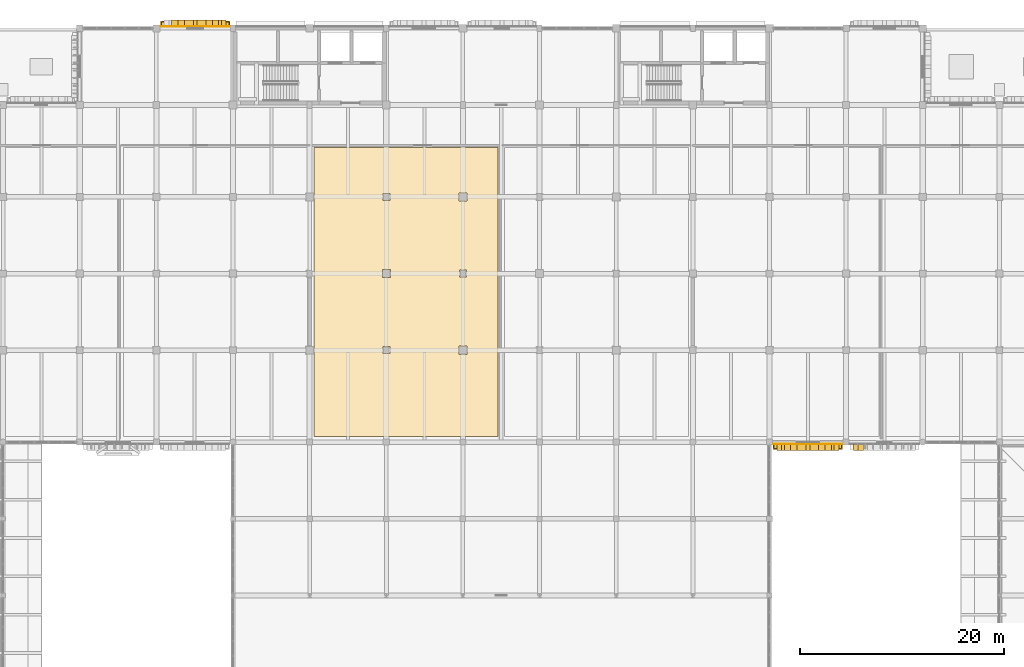
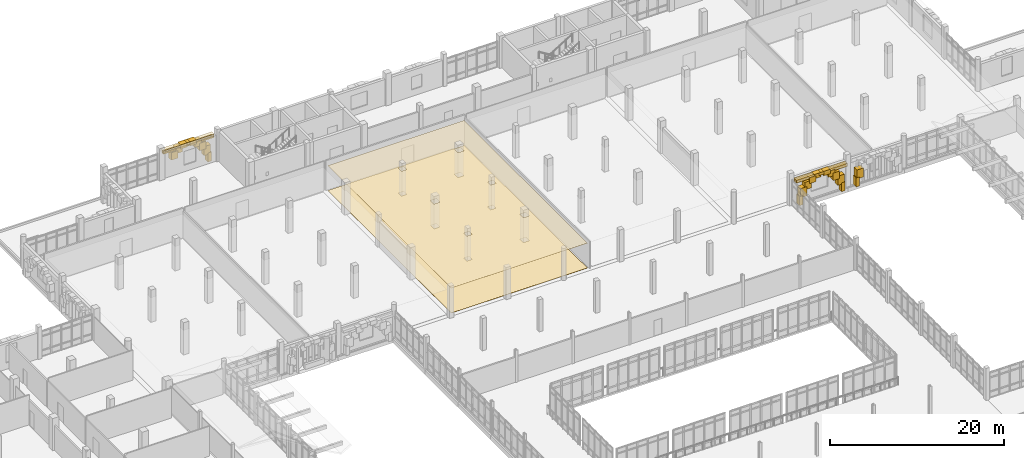
# One storey, part 118 of 128: 28 coverings, 2 shading devices.
"""IFC4 building model written with IfcOpenShell, lengths in metres."""

from ifc_helpers import new_model, si_unit, direction, frame, origin, origin_2d, place, context, subcontext, project, spatial, polyline, rectangle, outline, extrude, material, layer, layer_set, type_object, element, save


model = new_model("IFC4")

# Units and contexts
model_context = context("Model", 3, precision=1e-05, world=origin(), true_north=direction((0.0, 1.0)))
body_context = subcontext(model_context, "Body", "Model", "MODEL_VIEW")
ifc_project = project(units=[si_unit("LENGTHUNIT", "METRE"), si_unit("AREAUNIT", "SQUARE_METRE"), si_unit("VOLUMEUNIT", "CUBIC_METRE"), si_unit("PLANEANGLEUNIT", "RADIAN"), si_unit("MASSUNIT", "GRAM", prefix="KILO")], contexts=[model_context])

# Site, building, storey
site_placement = place(None, origin())
site = spatial("IfcSite", under=ifc_project, at=site_placement, CompositionType="ELEMENT")
building_placement = place(site_placement, origin())
building = spatial("IfcBuilding", under=site, at=building_placement, Name="Dalvernix Boulevard General Hospital", CompositionType="ELEMENT")
storey_placement = place(building_placement, frame((0.0, 0.0, 4.800048828125)))
storey = spatial("IfcBuildingStorey", under=building, at=storey_placement, Name="L01", CompositionType="ELEMENT", Elevation=4.800048828125)

# Coverings
ifc_material_1 = material(Name="Pressed Catalan clay brick and dressed limestone parabolic archivolt", Category="masonry")
ifc_layer_1 = layer(ifc_material_1, 0.419921875)
ifc_layer_set_1 = layer_set([ifc_layer_1], Name="Pressed Catalan clay brick and dressed limestone parabolic archivolt (COV-ARC-01)")
covering_type_1 = type_object("IfcCoveringType", Name="COV-ARC-01", PredefinedType="CLADDING", material=ifc_layer_set_1)
covering_1_placement = place(storey_placement, frame((59.10009765625, 117.485107421875, 0.0), z_axis=(0.0, 0.0, 1.0), x_axis=(1.0, 0.0, 0.0)))
element("IfcCovering", 1, at=covering_1_placement, inside=storey, type_object=covering_type_1, Name="L01 Catalan parabolic arch impost pier N 7-15-R", PredefinedType="CLADDING", context=body_context, shape_type="SweptSolid", body=[
    extrude(rectangle(XDim=0.4599609375, YDim=0.659912109375, at=origin_2d()), origin(), (0.0, 0.0, 1.0), 1.25),
])
covering_2_placement = place(storey_placement, frame((54.433349609375, 117.485107421875, 1.95263671875), z_axis=(0.0, 0.0, 1.0), x_axis=(1.0, 0.0, 0.0)))
element("IfcCovering", 2, at=covering_2_placement, inside=storey, type_object=covering_type_1, Name="L01 Catalan parabolic archivolt voussoir N 7-15-2", PredefinedType="CLADDING", context=body_context, shape_type="SweptSolid", body=[
    extrude(rectangle(XDim=0.8623046875, YDim=0.659912109375, at=origin_2d()), origin(), (0.0, 0.0, 1.0), 1.049560546875),
])
covering_3_placement = place(storey_placement, frame((55.0556640625, 117.485107421875, 2.62255859375), z_axis=(0.0, 0.0, 1.0), x_axis=(1.0, 0.0, 0.0)))
element("IfcCovering", 3, at=covering_3_placement, inside=storey, type_object=covering_type_1, Name="L01 Catalan parabolic archivolt voussoir N 7-15-3", PredefinedType="CLADDING", context=body_context, shape_type="SweptSolid", body=[
    extrude(rectangle(XDim=0.8623046875, YDim=0.659912109375, at=origin_2d()), origin(), (0.0, 0.0, 1.0), 0.826416015625),
])
covering_4_placement = place(storey_placement, frame((55.677734375, 117.485107421875, 3.06884765625), z_axis=(0.0, 0.0, 1.0), x_axis=(1.0, 0.0, 0.0)))
element("IfcCovering", 4, at=covering_4_placement, inside=storey, type_object=covering_type_1, Name="L01 Catalan parabolic archivolt voussoir N 7-15-4", PredefinedType="CLADDING", context=body_context, shape_type="SweptSolid", body=[
    extrude(rectangle(XDim=0.8623046875, YDim=0.659912109375, at=origin_2d()), origin(), (0.0, 0.0, 1.0), 0.603271484375),
])
covering_5_placement = place(storey_placement, frame((56.300048828125, 117.485107421875, 3.2919921875), z_axis=(0.0, 0.0, 1.0), x_axis=(1.0, 0.0, 0.0)))
element("IfcCovering", 5, at=covering_5_placement, inside=storey, type_object=covering_type_1, Name="L01 Catalan parabolic archivolt voussoir N 7-15-5", PredefinedType="CLADDING", context=body_context, shape_type="SweptSolid", body=[
    extrude(rectangle(XDim=0.8623046875, YDim=0.659912109375, at=origin_2d()), origin(), (0.0, 0.0, 1.0), 0.3798828125),
])
covering_6_placement = place(storey_placement, frame((56.922119140625, 117.485107421875, 3.06884765625), z_axis=(0.0, 0.0, 1.0), x_axis=(1.0, 0.0, 0.0)))
element("IfcCovering", 6, at=covering_6_placement, inside=storey, type_object=covering_type_1, Name="L01 Catalan parabolic archivolt voussoir N 7-15-6", PredefinedType="CLADDING", context=body_context, shape_type="SweptSolid", body=[
    extrude(rectangle(XDim=0.8623046875, YDim=0.659912109375, at=origin_2d()), origin(), (0.0, 0.0, 1.0), 0.603271484375),
])
covering_7_placement = place(storey_placement, frame((57.54443359375, 117.485107421875, 2.62255859375), z_axis=(0.0, 0.0, 1.0), x_axis=(1.0, 0.0, 0.0)))
element("IfcCovering", 7, at=covering_7_placement, inside=storey, type_object=covering_type_1, Name="L01 Catalan parabolic archivolt voussoir N 7-15-7", PredefinedType="CLADDING", context=body_context, shape_type="SweptSolid", body=[
    extrude(rectangle(XDim=0.8623046875, YDim=0.659912109375, at=origin_2d()), origin(), (0.0, 0.0, 1.0), 0.826416015625),
])
covering_8_placement = place(storey_placement, frame((58.166748046875, 117.485107421875, 1.95263671875), z_axis=(0.0, 0.0, 1.0), x_axis=(1.0, 0.0, 0.0)))
element("IfcCovering", 8, at=covering_8_placement, inside=storey, type_object=covering_type_1, Name="L01 Catalan parabolic archivolt voussoir N 7-15-8", PredefinedType="CLADDING", context=body_context, shape_type="SweptSolid", body=[
    extrude(rectangle(XDim=0.8623046875, YDim=0.659912109375, at=origin_2d()), origin(), (0.0, 0.0, 1.0), 1.049560546875),
])
covering_9_placement = place(storey_placement, frame((58.788818359375, 117.485107421875, 1.06005859375), z_axis=(0.0, 0.0, 1.0), x_axis=(1.0, 0.0, 0.0)))
element("IfcCovering", 9, at=covering_9_placement, inside=storey, type_object=covering_type_1, Name="L01 Catalan parabolic archivolt voussoir N 7-15-9", PredefinedType="CLADDING", context=body_context, shape_type="SweptSolid", body=[
    extrude(rectangle(XDim=0.8623046875, YDim=0.659912109375, at=origin_2d()), origin(), (0.0, 0.0, 1.0), 1.272705078125),
])
for number, where, z_axis, x_axis, name in (
    (10, (119.050048828125, 76.014892578125, 0.0), (0.0, 0.0, 1.0), (-1.0, 0.0, 0.0), "L01 Catalan parabolic arch impost pier S 15-10-L"),
    (11, (113.449951171875, 76.014892578125, 0.0), (0.0, 0.0, 1.0), (-1.0, 0.0, 0.0), "L01 Catalan parabolic arch impost pier S 15-10-R"),
):
    element("IfcCovering", number, at=place(storey_placement, frame(where, z_axis=z_axis, x_axis=x_axis)), inside=storey, type_object=covering_type_1, Name=name, PredefinedType="CLADDING", context=body_context, shape_type="SweptSolid", body=[
        extrude(rectangle(XDim=0.4599609375, YDim=0.659912109375, at=origin_2d()), origin(), (0.0, 0.0, 1.0), 1.25),
    ])
covering_10_placement = place(storey_placement, frame((118.739013671875, 76.014892578125, 1.06005859375), z_axis=(0.0, 0.0, 1.0), x_axis=(-1.0, 0.0, 0.0)))
element("IfcCovering", 12, at=covering_10_placement, inside=storey, type_object=covering_type_1, Name="L01 Catalan parabolic archivolt voussoir S 15-10-1", PredefinedType="CLADDING", context=body_context, shape_type="SweptSolid", body=[
    extrude(rectangle(XDim=0.8623046875, YDim=0.659912109375, at=origin_2d()), origin(), (0.0, 0.0, 1.0), 1.272705078125),
])
covering_11_placement = place(storey_placement, frame((118.11669921875, 76.014892578125, 1.95263671875), z_axis=(0.0, 0.0, 1.0), x_axis=(-1.0, 0.0, 0.0)))
element("IfcCovering", 13, at=covering_11_placement, inside=storey, type_object=covering_type_1, Name="L01 Catalan parabolic archivolt voussoir S 15-10-2", PredefinedType="CLADDING", context=body_context, shape_type="SweptSolid", body=[
    extrude(rectangle(XDim=0.8623046875, YDim=0.659912109375, at=origin_2d()), origin(), (0.0, 0.0, 1.0), 1.049560546875),
])
covering_12_placement = place(storey_placement, frame((117.494384765625, 76.014892578125, 2.62255859375), z_axis=(0.0, 0.0, 1.0), x_axis=(-1.0, 0.0, 0.0)))
element("IfcCovering", 14, at=covering_12_placement, inside=storey, type_object=covering_type_1, Name="L01 Catalan parabolic archivolt voussoir S 15-10-3", PredefinedType="CLADDING", context=body_context, shape_type="SweptSolid", body=[
    extrude(rectangle(XDim=0.8623046875, YDim=0.659912109375, at=origin_2d()), origin(), (0.0, 0.0, 1.0), 0.826416015625),
])
covering_13_placement = place(storey_placement, frame((116.872314453125, 76.014892578125, 3.06884765625), z_axis=(0.0, 0.0, 1.0), x_axis=(-1.0, 0.0, 0.0)))
element("IfcCovering", 15, at=covering_13_placement, inside=storey, type_object=covering_type_1, Name="L01 Catalan parabolic archivolt voussoir S 15-10-4", PredefinedType="CLADDING", context=body_context, shape_type="SweptSolid", body=[
    extrude(rectangle(XDim=0.8623046875, YDim=0.659912109375, at=origin_2d()), origin(), (0.0, 0.0, 1.0), 0.603271484375),
])
covering_14_placement = place(storey_placement, frame((116.25, 76.014892578125, 3.2919921875), z_axis=(0.0, 0.0, 1.0), x_axis=(-1.0, 0.0, 0.0)))
element("IfcCovering", 16, at=covering_14_placement, inside=storey, type_object=covering_type_1, Name="L01 Catalan parabolic archivolt voussoir S 15-10-5", PredefinedType="CLADDING", context=body_context, shape_type="SweptSolid", body=[
    extrude(rectangle(XDim=0.8623046875, YDim=0.659912109375, at=origin_2d()), origin(), (0.0, 0.0, 1.0), 0.3798828125),
])
covering_15_placement = place(storey_placement, frame((115.627685546875, 76.014892578125, 3.06884765625), z_axis=(0.0, 0.0, 1.0), x_axis=(-1.0, 0.0, 0.0)))
element("IfcCovering", 17, at=covering_15_placement, inside=storey, type_object=covering_type_1, Name="L01 Catalan parabolic archivolt voussoir S 15-10-6", PredefinedType="CLADDING", context=body_context, shape_type="SweptSolid", body=[
    extrude(rectangle(XDim=0.8623046875, YDim=0.659912109375, at=origin_2d()), origin(), (0.0, 0.0, 1.0), 0.603271484375),
])
covering_16_placement = place(storey_placement, frame((115.005615234375, 76.014892578125, 2.62255859375), z_axis=(0.0, 0.0, 1.0), x_axis=(-1.0, 0.0, 0.0)))
element("IfcCovering", 18, at=covering_16_placement, inside=storey, type_object=covering_type_1, Name="L01 Catalan parabolic archivolt voussoir S 15-10-7", PredefinedType="CLADDING", context=body_context, shape_type="SweptSolid", body=[
    extrude(rectangle(XDim=0.8623046875, YDim=0.659912109375, at=origin_2d()), origin(), (0.0, 0.0, 1.0), 0.826416015625),
])
covering_17_placement = place(storey_placement, frame((114.38330078125, 76.014892578125, 1.95263671875), z_axis=(0.0, 0.0, 1.0), x_axis=(-1.0, 0.0, 0.0)))
element("IfcCovering", 19, at=covering_17_placement, inside=storey, type_object=covering_type_1, Name="L01 Catalan parabolic archivolt voussoir S 15-10-8", PredefinedType="CLADDING", context=body_context, shape_type="SweptSolid", body=[
    extrude(rectangle(XDim=0.8623046875, YDim=0.659912109375, at=origin_2d()), origin(), (0.0, 0.0, 1.0), 1.049560546875),
])
covering_18_placement = place(storey_placement, frame((113.760986328125, 76.014892578125, 1.06005859375), z_axis=(0.0, 0.0, 1.0), x_axis=(-1.0, 0.0, 0.0)))
element("IfcCovering", 20, at=covering_18_placement, inside=storey, type_object=covering_type_1, Name="L01 Catalan parabolic archivolt voussoir S 15-10-9", PredefinedType="CLADDING", context=body_context, shape_type="SweptSolid", body=[
    extrude(rectangle(XDim=0.8623046875, YDim=0.659912109375, at=origin_2d()), origin(), (0.0, 0.0, 1.0), 1.272705078125),
])
covering_19_placement = place(storey_placement, frame((120.949951171875, 76.014892578125, 0.0), z_axis=(0.0, 0.0, 1.0), x_axis=(-1.0, 0.0, 0.0)))
element("IfcCovering", 21, at=covering_19_placement, inside=storey, type_object=covering_type_1, Name="L01 Catalan parabolic arch impost pier S 16-10-R", PredefinedType="CLADDING", context=body_context, shape_type="SweptSolid", body=[
    extrude(rectangle(XDim=0.4599609375, YDim=0.659912109375, at=origin_2d()), origin(), (0.0, 0.0, 1.0), 1.25),
])
covering_20_placement = place(storey_placement, frame((121.260986328125, 76.014892578125, 1.06005859375), z_axis=(0.0, 0.0, 1.0), x_axis=(-1.0, 0.0, 0.0)))
element("IfcCovering", 22, at=covering_20_placement, inside=storey, type_object=covering_type_1, Name="L01 Catalan parabolic archivolt voussoir S 16-10-9", PredefinedType="CLADDING", context=body_context, shape_type="SweptSolid", body=[
    extrude(rectangle(XDim=0.8623046875, YDim=0.659912109375, at=origin_2d()), origin(), (0.0, 0.0, 1.0), 1.272705078125),
])
ifc_material_2 = material(Name="Antimicrobial acoustic mineral-fibre suspended ceiling")
ifc_layer_2 = layer(ifc_material_2, 0.02490234375)
ifc_layer_set_2 = layer_set([ifc_layer_2], Name="Antimicrobial acoustic mineral-fibre suspended ceiling (COV-CEIL-01)")
covering_type_2 = type_object("IfcCoveringType", Name="COV-CEIL-01", PredefinedType="CEILING", material=ifc_layer_set_2)
covering_21_placement = place(storey_placement, frame((0.0, 0.0, 3.474853515625)))
element("IfcCovering", 23, at=covering_21_placement, inside=storey, type_object=covering_type_2, Name="L01 Clinical Pathology and Microbiology Laboratory 02 hygienic suspended ceiling", PredefinedType="CEILING", context=body_context, shape_type="SweptSolid", body=[
    extrude(outline(polyline([(85.949951171875, 77.050048828125), (67.916748046875, 77.050048828125), (67.916748046875, 105.35009765625), (85.949951171875, 105.35009765625), (85.949951171875, 77.050048828125)]), holes=[polyline([(74.655029296875, 85.844970703125), (74.655029296875, 85.155029296875), (75.344970703125, 85.155029296875), (75.344970703125, 85.844970703125), (74.655029296875, 85.844970703125)]), polyline([(75.39501953125, 93.39501953125), (74.60498046875, 93.39501953125), (74.60498046875, 92.60498046875), (75.39501953125, 92.60498046875), (75.39501953125, 93.39501953125)]), polyline([(75.344970703125, 100.155029296875), (75.344970703125, 100.844970703125), (74.655029296875, 100.844970703125), (74.655029296875, 100.155029296875), (75.344970703125, 100.155029296875)]), polyline([(82.10498046875, 85.10498046875), (82.89501953125, 85.10498046875), (82.89501953125, 85.89501953125), (82.10498046875, 85.89501953125), (82.10498046875, 85.10498046875)]), polyline([(82.155029296875, 93.344970703125), (82.155029296875, 92.655029296875), (82.844970703125, 92.655029296875), (82.844970703125, 93.344970703125), (82.155029296875, 93.344970703125)]), polyline([(82.89501953125, 100.89501953125), (82.10498046875, 100.89501953125), (82.10498046875, 100.10498046875), (82.89501953125, 100.10498046875), (82.89501953125, 100.89501953125)])]), origin(), (0.0, 0.0, 1.0), 0.025146484375),
])
ifc_material_3 = material(Name="Polychrome Catalan glazed ceramic spandrel tile panel")
ifc_layer_3 = layer(ifc_material_3, 0.044921875)
ifc_layer_set_3 = layer_set([ifc_layer_3], Name="Polychrome Catalan glazed ceramic spandrel tile panel (COV-CLD-01)")
covering_type_3 = type_object("IfcCoveringType", Name="COV-CLD-01", PredefinedType="CLADDING", material=ifc_layer_set_3)
for number, where, z_axis, x_axis, name in (
    (24, (56.300048828125, 117.195068359375, 3.15478515625), (0.0, 0.0, 1.0), (1.0, 0.0, 0.0), "L01 polychrome ceramic spandrel N 7-15"),
    (25, (116.25, 76.304931640625, 3.15478515625), (0.0, 0.0, 1.0), (-1.0, 0.0, 0.0), "L01 polychrome ceramic spandrel S 15-10"),
):
    element("IfcCovering", number, at=place(storey_placement, frame(where, z_axis=z_axis, x_axis=x_axis)), inside=storey, type_object=covering_type_3, Name=name, PredefinedType="CLADDING", context=body_context, shape_type="SweptSolid", body=[
        extrude(rectangle(XDim=6.780029296875, YDim=0.044921875, at=origin_2d()), origin(), (0.0, 0.0, 1.0), 0.449951171875),
    ])
ifc_material_4 = material(Name="Dressed ochre limestone classical plinth, stringcourse and corbelled cornice", Category="masonry")
ifc_layer_4 = layer(ifc_material_4, 0.449951171875)
ifc_layer_set_4 = layer_set([ifc_layer_4], Name="Dressed ochre limestone classical plinth, stringcourse and corbelled cornice (COV-CRN-01)")
covering_type_4 = type_object("IfcCoveringType", Name="COV-CRN-01", PredefinedType="CLADDING", material=ifc_layer_set_4)
for number, where, z_axis, x_axis, name in (
    (26, (56.300048828125, 117.43505859375, 3.22998046875), (0.0, 0.0, 1.0), (1.0, 0.0, 0.0), "L01 classical corbelled cornice frieze N 7-15"),
    (27, (116.25, 76.06494140625, 3.22998046875), (0.0, 0.0, 1.0), (-1.0, 0.0, 0.0), "L01 classical corbelled cornice frieze S 15-10"),
):
    element("IfcCovering", number, at=place(storey_placement, frame(where, z_axis=z_axis, x_axis=x_axis)), inside=storey, type_object=covering_type_4, Name=name, PredefinedType="CLADDING", context=body_context, shape_type="SweptSolid", body=[
        extrude(rectangle(XDim=6.780029296875, YDim=0.56005859375, at=origin_2d()), origin(), (0.0, 0.0, 1.0), 0.39990234375),
    ])
ifc_material_5 = material(Name="Seamless welded medical vinyl and polished terrazzo flooring")
ifc_layer_5 = layer(ifc_material_5, 0.014892578125)
ifc_layer_set_5 = layer_set([ifc_layer_5], Name="Seamless welded medical vinyl and polished terrazzo flooring (COV-FLR-01)")
covering_type_5 = type_object("IfcCoveringType", Name="COV-FLR-01", PredefinedType="FLOORING", material=ifc_layer_set_5)
covering_22_placement = place(storey_placement, origin())
element("IfcCovering", 28, at=covering_22_placement, inside=storey, type_object=covering_type_5, Name="L01 Clinical Pathology and Microbiology Laboratory 02 seamless clinical flooring", PredefinedType="FLOORING", context=body_context, shape_type="SweptSolid", body=[
    extrude(outline(polyline([(85.949951171875, 77.050048828125), (67.916748046875, 77.050048828125), (67.916748046875, 105.35009765625), (85.949951171875, 105.35009765625), (85.949951171875, 77.050048828125)]), holes=[polyline([(74.655029296875, 85.844970703125), (74.655029296875, 85.155029296875), (75.344970703125, 85.155029296875), (75.344970703125, 85.844970703125), (74.655029296875, 85.844970703125)]), polyline([(75.39501953125, 93.39501953125), (74.60498046875, 93.39501953125), (74.60498046875, 92.60498046875), (75.39501953125, 92.60498046875), (75.39501953125, 93.39501953125)]), polyline([(75.344970703125, 100.155029296875), (75.344970703125, 100.844970703125), (74.655029296875, 100.844970703125), (74.655029296875, 100.155029296875), (75.344970703125, 100.155029296875)]), polyline([(82.10498046875, 85.10498046875), (82.89501953125, 85.10498046875), (82.89501953125, 85.89501953125), (82.10498046875, 85.89501953125), (82.10498046875, 85.10498046875)]), polyline([(82.155029296875, 93.344970703125), (82.155029296875, 92.655029296875), (82.844970703125, 92.655029296875), (82.844970703125, 93.344970703125), (82.155029296875, 93.344970703125)]), polyline([(82.89501953125, 100.89501953125), (82.10498046875, 100.89501953125), (82.10498046875, 100.10498046875), (82.89501953125, 100.10498046875), (82.89501953125, 100.89501953125)])]), origin(), (0.0, 0.0, 1.0), 0.014892578125),
])

# Shading devices
ifc_material_6 = material(Name="Extruded aluminium solar jalousie louvre bank", Category="aluminium")
shading_device_type = type_object("IfcShadingDeviceType", Name="SHD-JAL-01", PredefinedType="JALOUSIE", material=ifc_material_6)
for number, where, z_axis, x_axis, name in (
    (29, (56.300048828125, 117.385009765625, 3.1298828125), (0.0, 0.0, 1.0), (1.0, 0.0, 0.0), "L01 solar jalousie louvre N 7-15"),
    (30, (116.25, 76.114990234375, 3.1298828125), (0.0, 0.0, 1.0), (-1.0, 0.0, 0.0), "L01 solar jalousie louvre S 15-10"),
):
    element("IfcShadingDevice", number, at=place(storey_placement, frame(where, z_axis=z_axis, x_axis=x_axis)), inside=storey, type_object=shading_device_type, Name=name, PredefinedType="JALOUSIE", context=body_context, shape_type="SweptSolid", body=[
        extrude(rectangle(XDim=6.580078125, YDim=0.449951171875, at=origin_2d()), origin(), (0.0, 0.0, 1.0), 0.300048828125),
    ])

save(model, "model.ifc")
